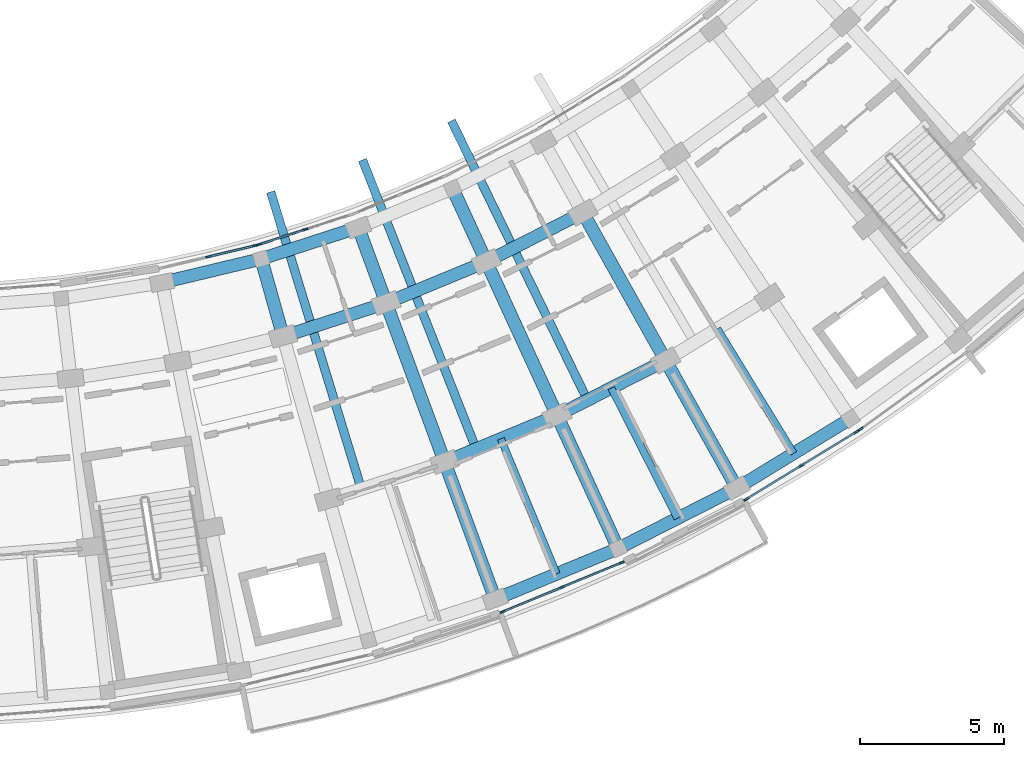
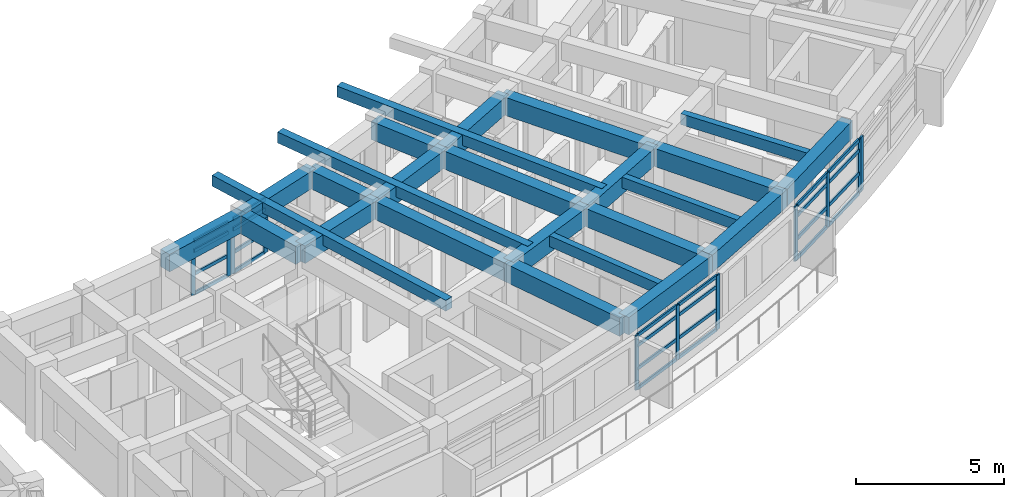
# One storey, part 28 of 70: 35 members, 25 beams, 5 elements without a shape of their own.
"""IFC4 building model written with IfcOpenShell, lengths in metres."""

import ifcopenshell
import ifcopenshell.guid

model = None  # the IFC model being written
_history = None  # IfcOwnerHistory: only IFC2X3 demands one
_inside = {}  # id of a spatial element -> (the spatial element, [elements in it])
_under = {}  # id of a project, library or spatial element -> (it, [spatial elements below it])
_declared = {}  # id of a project -> (the project, [libraries it declares])
_typed = {}  # id of a type object -> (the type object, [elements of that type])
_made_of = {}  # id of a material, layer set ... -> (it, [elements and type objects made of it])


def new_model(schema):
    """Start an empty IFC model of exactly this schema.

    Asked for "IFC4X3", IfcOpenShell would pick the latest addendum, in which some entities
    have other attributes; the version numbers below select the first issue.
    IFC2X3 requires an IfcOwnerHistory on every rooted entity: one is made here for all.
    """
    global model, _history
    if schema == "IFC4X3":
        model = ifcopenshell.file(schema_version=(4, 3, 0, 0))
    else:
        model = ifcopenshell.file(schema=schema)
    _inside.clear()
    _under.clear()
    _declared.clear()
    _typed.clear()
    _made_of.clear()
    _history = None
    if model.schema == "IFC2X3":
        org = make("IfcOrganization", Name="unknown")
        user = make(
            "IfcPersonAndOrganization",
            ThePerson=make("IfcPerson", FamilyName="unknown"),
            TheOrganization=org,
        )
        app = make(
            "IfcApplication",
            ApplicationDeveloper=org,
            Version="unknown",
            ApplicationFullName="unknown",
            ApplicationIdentifier="unknown",
        )
        _history = make(
            "IfcOwnerHistory",
            OwningUser=user,
            OwningApplication=app,
            ChangeAction="ADDED",
            CreationDate=0,
        )
    return model


def make(cls, **values):
    """One entity of the class cls with the attributes given. An attribute that is None is left unset."""
    return model.create_entity(
        cls, **{name: value for name, value in values.items() if value is not None}
    )


def rooted(cls, **values):
    """An entity with a GlobalId (a new one), such as an element, a storey or a relation."""
    return make(cls, GlobalId=ifcopenshell.guid.new(), OwnerHistory=_history, **values)


def si_unit(unit_type, name, prefix=None):
    """IfcSIUnit, for example si_unit("LENGTHUNIT", "METRE", prefix="MILLI")."""
    return make("IfcSIUnit", UnitType=unit_type, Prefix=prefix, Name=name)


def assignment(units):
    """IfcUnitAssignment: the units of a project."""
    return None if units is None else make("IfcUnitAssignment", Units=units)


def point(xyz):
    """IfcCartesianPoint."""
    return None if xyz is None else make("IfcCartesianPoint", Coordinates=xyz)


def direction(xyz):
    """IfcDirection."""
    return None if xyz is None else make("IfcDirection", DirectionRatios=xyz)


def frame(location, z_axis=None, x_axis=None):
    """IfcAxis2Placement3D, a coordinate frame: its origin and axes. An axis left out is left unset."""
    return make(
        "IfcAxis2Placement3D",
        Location=point(location),
        Axis=direction(z_axis),
        RefDirection=direction(x_axis),
    )


def frame_2d(location, x_axis=None):
    """IfcAxis2Placement2D, a coordinate frame in the plane: its origin and x axis."""
    return make(
        "IfcAxis2Placement2D", Location=point(location), RefDirection=direction(x_axis)
    )


def origin():
    """The frame at (0, 0, 0) with its axes left unset."""
    return frame((0.0, 0.0, 0.0))


def origin_2d():
    """The frame at (0, 0) in the plane with its x axis left unset."""
    return frame_2d((0.0, 0.0))


def place(relative_to, where):
    """IfcLocalPlacement: puts the frame where relative to a parent placement (None: the world)."""
    return make(
        "IfcLocalPlacement", PlacementRelTo=relative_to, RelativePlacement=where
    )


def context(
    kind, dimensions, precision=None, world=None, true_north=None, identifier=None
):
    """IfcGeometricRepresentationContext, for example the 3D "Model" context."""
    return make(
        "IfcGeometricRepresentationContext",
        ContextIdentifier=identifier,
        ContextType=kind,
        CoordinateSpaceDimension=dimensions,
        Precision=precision,
        WorldCoordinateSystem=world,
        TrueNorth=true_north,
    )


def subcontext(parent, identifier, kind, view, scale=None):
    """IfcGeometricRepresentationSubContext, for example "Body" below "Model"."""
    return make(
        "IfcGeometricRepresentationSubContext",
        ContextIdentifier=identifier,
        ContextType=kind,
        ParentContext=parent,
        TargetScale=scale,
        TargetView=view,
    )


def project(units=None, contexts=None):
    """IfcProject with its units and contexts."""
    return rooted(
        "IfcProject",
        Name="project",
        RepresentationContexts=contexts,
        UnitsInContext=assignment(units),
    )


def spatial(cls, under=None, at=None, **own):
    """A site, building, storey or space (cls), placed at a placement, below another one or the project."""
    s = rooted(cls, ObjectPlacement=at, **own)
    if under is not None:
        _under.setdefault(under.id(), (under, []))[1].append(s)
    return s


def profile(cls, at=None, kind="AREA", **sizes):
    """A parametric profile (cls). Its sizes go by their IFC names, for example OverallWidth=200.0."""
    return make(cls, ProfileType=kind, Position=at, **sizes)


def rectangle(**sizes):
    """IfcRectangleProfileDef."""
    return profile("IfcRectangleProfileDef", **sizes)


def extrude(swept, where, along, depth):
    """IfcExtrudedAreaSolid: the profile swept, set in the frame where, extruded along a direction by depth."""
    return make(
        "IfcExtrudedAreaSolid",
        SweptArea=swept,
        Position=where,
        ExtrudedDirection=direction(along),
        Depth=depth,
    )


def shape(context_of_items, identifier, shape_type, items):
    """IfcShapeRepresentation: the items that make up one representation, for example the "Body"."""
    return make(
        "IfcShapeRepresentation",
        ContextOfItems=context_of_items,
        RepresentationIdentifier=identifier,
        RepresentationType=shape_type,
        Items=items,
    )


def material(Name=None, Category=None):
    """IfcMaterial."""
    return make("IfcMaterial", Name=Name, Category=Category)


def material_profile(
    of_material, cross_section, Name=None, Category=None, Priority=None
):
    """IfcMaterialProfile: a cross section and its material."""
    return make(
        "IfcMaterialProfile",
        Name=Name,
        Material=of_material,
        Profile=cross_section,
        Priority=Priority,
        Category=Category,
    )


def profile_set(profiles, Name=None, composite=None):
    """IfcMaterialProfileSet."""
    return make(
        "IfcMaterialProfileSet",
        Name=Name,
        MaterialProfiles=profiles,
        CompositeProfile=composite,
    )


def made_of(thing, what):
    """Note that an element or type object is made of a material, layer set ...; save() writes the relation."""
    if what is not None:
        _made_of.setdefault(what.id(), (what, []))[1].append(thing)
    return thing


def type_object(cls, material=None, **own):
    """A type object (cls), such as IfcWallType, which elements share."""
    return made_of(rooted(cls, **own), material)


def element(
    cls,
    number,
    at=None,
    inside=None,
    cuts=None,
    type_object=None,
    material=None,
    context=None,
    identifier="Body",
    shape_type=None,
    held_by="IfcProductDefinitionShape",
    body=None,
    shapes=None,
    **own,
):
    """One element of the class cls, such as IfcWall. Its Tag is "e" and its number.

    at: its placement. inside: the storey or other place that contains it. cuts: it is an
    opening in that element (IfcRelVoidsElement). A single representation is given by context,
    identifier, shape_type and body (its items); several are given by shapes. held_by: the class
    of the entity that holds the representations. save() writes the other relations.
    """
    e = rooted(cls, Tag="e%d" % number, ObjectPlacement=at, **own)
    if body is not None:
        shapes = [shape(context, identifier, shape_type, body)]
    if shapes is not None:
        e.Representation = make(held_by, Representations=shapes)
    if inside is not None:
        _inside.setdefault(inside.id(), (inside, []))[1].append(e)
    if cuts is not None:
        rooted(
            "IfcRelVoidsElement", RelatingBuildingElement=cuts, RelatedOpeningElement=e
        )
    if type_object is not None:
        _typed.setdefault(type_object.id(), (type_object, []))[1].append(e)
    return made_of(e, material)


def aggregate(whole, parts):
    """IfcRelAggregates: a whole, such as a stair, and the parts it consists of."""
    return rooted("IfcRelAggregates", RelatingObject=whole, RelatedObjects=parts)


def save(model, path):
    """Write the relations noted so far, then the file.

    IfcRelAggregates (storeys below a building ...), IfcRelContainedInSpatialStructure (elements
    in a storey), IfcRelDefinesByType, IfcRelAssociatesMaterial and IfcRelDeclares: one each for
    every whole, place, type object, material and project.
    """
    for whole, parts in _under.values():
        aggregate(whole, parts)
    for where, things in _inside.values():
        rooted(
            "IfcRelContainedInSpatialStructure",
            RelatedElements=things,
            RelatingStructure=where,
        )
    for kind, things in _typed.values():
        rooted("IfcRelDefinesByType", RelatedObjects=things, RelatingType=kind)
    for what, things in _made_of.values():
        rooted("IfcRelAssociatesMaterial", RelatedObjects=things, RelatingMaterial=what)
    for by, libraries in _declared.values():
        rooted("IfcRelDeclares", RelatingContext=by, RelatedDefinitions=libraries)
    model.write(path)


model = new_model("IFC4")

# Units and contexts
model_context = context("Model", 3, precision=1e-05, world=origin(), true_north=direction((0.0, 1.0)))
body_context = subcontext(model_context, "Body", "Model", "MODEL_VIEW")
ifc_project = project(units=[si_unit("LENGTHUNIT", "METRE"), si_unit("AREAUNIT", "SQUARE_METRE"), si_unit("VOLUMEUNIT", "CUBIC_METRE"), si_unit("PLANEANGLEUNIT", "RADIAN"), si_unit("MASSUNIT", "GRAM", prefix="KILO")], contexts=[model_context])

# Site, building, storey
site_placement = place(None, origin())
site = spatial("IfcSite", under=ifc_project, at=site_placement, CompositionType="ELEMENT")
building_placement = place(site_placement, origin())
building = spatial("IfcBuilding", under=site, at=building_placement, Name="Zimvara Arc Housing Community", CompositionType="ELEMENT")
storey_placement = place(building_placement, frame((0.0, 0.0, 8.10009765625)))
storey = spatial("IfcBuildingStorey", under=building, at=storey_placement, Name="L02", CompositionType="ELEMENT", Elevation=8.10009765625)

# Beams
ifc_material_1 = material(Name="Concrete C40/50", Category="concrete")
ifc_material_profile_1 = material_profile(ifc_material_1, rectangle(XDim=0.25, YDim=0.449951171875, at=origin_2d()), Name="RC 250x450")
ifc_profile_set_1 = profile_set([ifc_material_profile_1], Name="Concrete C40/50")
beam_type_1 = type_object("IfcBeamType", Name="BM-RC-250x450", PredefinedType="JOIST", material=ifc_profile_set_1)
beam_1_placement = place(storey_placement, frame((146.509033203125, 60.17578125, 2.65478515625), z_axis=(0.381881623909, -0.924211244966, 0.0), x_axis=(0.924211244966, 0.381881623909, 0.0)))
element("IfcBeam", 1, at=beam_1_placement, inside=storey, type_object=beam_type_1, Name="bm:blkD:L02:joist:b4", PredefinedType="JOIST", context=body_context, shape_type="SweptSolid", body=[
    extrude(rectangle(XDim=0.25, YDim=0.449951171875, at=origin_2d()), origin(), (0.0, 0.0, 1.0), 5.076171875),
])
for number, where, z_axis, x_axis, name in (
    (2, (150.343994140625, 61.939453125, 2.65478515625), (0.453225300679, -0.891395998883, 0.0), (0.891395998883, 0.453225300679, 0.0), "bm:blkD:L02:joist:b5"),
    (3, (154.02880859375, 63.998779296875, 2.65478515625), (0.521755418526, -0.85309511969, 0.0), (0.85309511969, 0.521755418526, 0.0), "bm:blkD:L02:joist:b6"),
):
    element("IfcBeam", number, at=place(storey_placement, frame(where, z_axis=z_axis, x_axis=x_axis)), inside=storey, type_object=beam_type_1, Name=name, PredefinedType="JOIST", context=body_context, shape_type="SweptSolid", body=[
        extrude(rectangle(XDim=0.25, YDim=0.449951171875, at=origin_2d()), origin(), (0.0, 0.0, 1.0), 5.075927734375),
    ])
ifc_material_2 = material(Name="Concrete C40/50", Category="concrete")
ifc_material_profile_2 = material_profile(ifc_material_2, rectangle(XDim=0.300048828125, YDim=0.449951171875, at=origin_2d()), Name="RC 300x450")
ifc_profile_set_2 = profile_set([ifc_material_profile_2], Name="Concrete C40/50")
beam_type_2 = type_object("IfcBeamType", Name="BM-RC-300x450", PredefinedType="JOIST", material=ifc_profile_set_2)
beam_2_placement = place(storey_placement, frame((141.673583984375, 58.39990234375, 2.664794921875), z_axis=(-0.2917065774, 0.956507852922, 0.0), x_axis=(-0.956507852922, -0.2917065774, 0.0)))
element("IfcBeam", 4, at=beam_2_placement, inside=storey, type_object=beam_type_2, Name="bm:blkD:L02:cant_in:b3", PredefinedType="JOIST", context=body_context, shape_type="SweptSolid", body=[
    extrude(rectangle(XDim=0.300048828125, YDim=0.449951171875, at=origin_2d()), origin(), (0.0, 0.0, 1.0), 10.820068359375),
])
beam_3_placement = place(storey_placement, frame((145.662841796875, 59.789794921875, 2.664794921875), z_axis=(-0.365852023877, 0.93067303422, 0.0), x_axis=(-0.93067303422, -0.365852023877, 0.0)))
element("IfcBeam", 5, at=beam_3_placement, inside=storey, type_object=beam_type_2, Name="bm:blkD:L02:cant_in:b4", PredefinedType="JOIST", context=body_context, shape_type="SweptSolid", body=[
    extrude(rectangle(XDim=0.300048828125, YDim=0.449951171875, at=origin_2d()), origin(), (0.0, 0.0, 1.0), 10.81982421875),
])
beam_4_placement = place(storey_placement, frame((149.530517578125, 61.488525390625, 2.664794921875), z_axis=(-0.437738890633, 0.899102143044, 0.0), x_axis=(-0.899102143044, -0.437738890633, 0.0)))
element("IfcBeam", 6, at=beam_4_placement, inside=storey, type_object=beam_type_2, Name="bm:blkD:L02:cant_in:b5", PredefinedType="JOIST", context=body_context, shape_type="SweptSolid", body=[
    extrude(rectangle(XDim=0.300048828125, YDim=0.449951171875, at=origin_2d()), origin(), (0.0, 0.0, 1.0), 10.820068359375),
])
ifc_material_3 = material(Name="Concrete C40/50", Category="concrete")
ifc_material_profile_3 = material_profile(ifc_material_3, rectangle(XDim=0.43994140625, YDim=0.719970703125, at=origin_2d()), Name="RC 440x720")
ifc_profile_set_3 = profile_set([ifc_material_profile_3], Name="Concrete C40/50")
beam_type_3 = type_object("IfcBeamType", Name="BM-RC-440x720", PredefinedType="BEAM", material=ifc_profile_set_3)
for number, where, z_axis, x_axis, name in (
    (7, (134.743896484375, 65.599365234375, 2.52001953125), (0.972576519525, 0.232583132813, 0.0), (-0.232583132813, 0.972576519525, 0.0), "bm:blkD:L02:chord:r0:b2"),
    (8, (138.189453125, 66.42333984375, 2.52001953125), (0.951329887165, 0.308174375618, 0.0), (-0.308174375618, 0.951329887165, 0.0), "bm:blkD:L02:chord:r0:b3"),
):
    element("IfcBeam", number, at=place(storey_placement, frame(where, z_axis=z_axis, x_axis=x_axis)), inside=storey, type_object=beam_type_3, Name=name, PredefinedType="BEAM", context=body_context, shape_type="SweptSolid", body=[
        extrude(rectangle(XDim=0.43994140625, YDim=0.719970703125, at=origin_2d()), origin(), (0.0, 0.0, 1.0), 3.542724609375),
    ])
beam_5_placement = place(storey_placement, frame((138.947265625, 63.727783203125, 2.52001953125), z_axis=(0.951316439628, 0.308215884881, 0.0), x_axis=(-0.308215884881, 0.951316439628, 0.0)))
element("IfcBeam", 9, at=beam_5_placement, inside=storey, type_object=beam_type_3, Name="bm:blkD:L02:chord:r1:b3", PredefinedType="BEAM", context=body_context, shape_type="SweptSolid", body=[
    extrude(rectangle(XDim=0.43994140625, YDim=0.719970703125, at=origin_2d()), origin(), (0.0, 0.0, 1.0), 3.762451171875),
])
for number, where, z_axis, x_axis, name in (
    (10, (142.526611328125, 64.887451171875, 2.52001953125), (0.924224591922, 0.381849320658, 0.0), (-0.381849320658, 0.924224591922, 0.0), "bm:blkD:L02:chord:r1:b4"),
    (11, (146.004150390625, 66.32421875, 2.52001953125), (0.891396237924, 0.453224830536, 0.0), (-0.453224830536, 0.891396237924, 0.0), "bm:blkD:L02:chord:r1:b5"),
):
    element("IfcBeam", number, at=place(storey_placement, frame(where, z_axis=z_axis, x_axis=x_axis)), inside=storey, type_object=beam_type_3, Name=name, PredefinedType="BEAM", context=body_context, shape_type="SweptSolid", body=[
        extrude(rectangle(XDim=0.43994140625, YDim=0.719970703125, at=origin_2d()), origin(), (0.0, 0.0, 1.0), 3.7626953125),
    ])
beam_6_placement = place(storey_placement, frame((144.55712890625, 59.369140625, 2.52001953125), z_axis=(0.924220191381, 0.381859971512, 0.0), x_axis=(-0.381859971512, 0.924220191381, 0.0)))
element("IfcBeam", 12, at=beam_6_placement, inside=storey, type_object=beam_type_3, Name="bm:blkD:L02:chord:r2:b4", PredefinedType="BEAM", context=body_context, shape_type="SweptSolid", body=[
    extrude(rectangle(XDim=0.43994140625, YDim=0.719970703125, at=origin_2d()), origin(), (0.0, 0.0, 1.0), 4.22412109375),
])
beam_7_placement = place(storey_placement, frame((148.461181640625, 60.982177734375, 2.52001953125), z_axis=(0.891401751243, 0.453213986855, 0.0), x_axis=(-0.453213986855, 0.891401751243, 0.0)))
element("IfcBeam", 13, at=beam_7_placement, inside=storey, type_object=beam_type_3, Name="bm:blkD:L02:chord:r2:b5", PredefinedType="BEAM", context=body_context, shape_type="SweptSolid", body=[
    extrude(rectangle(XDim=0.43994140625, YDim=0.719970703125, at=origin_2d()), origin(), (0.0, 0.0, 1.0), 4.224365234375),
])
beam_8_placement = place(storey_placement, frame((146.311279296875, 54.6015625, 2.52001953125), z_axis=(0.924218077134, 0.38186508861, 0.0), x_axis=(-0.38186508861, 0.924218077134, 0.0)))
element("IfcBeam", 14, at=beam_8_placement, inside=storey, type_object=beam_type_3, Name="bm:blkD:L02:chord:r3:b4", PredefinedType="BEAM", context=body_context, shape_type="SweptSolid", body=[
    extrude(rectangle(XDim=0.43994140625, YDim=0.719970703125, at=origin_2d()), origin(), (0.0, 0.0, 1.0), 4.623046875),
])
for number, where, z_axis, x_axis, name in (
    (15, (150.583984375, 56.366943359375, 2.52001953125), (0.891386215037, 0.453244542871, 0.0), (-0.453244542871, 0.891386215037, 0.0), "bm:blkD:L02:chord:r3:b5"),
    (16, (154.705078125, 58.46240234375, 2.52001953125), (0.853105562062, 0.521738344363, 0.0), (-0.521738344363, 0.853105562062, 0.0), "bm:blkD:L02:chord:r3:b6"),
):
    element("IfcBeam", number, at=place(storey_placement, frame(where, z_axis=z_axis, x_axis=x_axis)), inside=storey, type_object=beam_type_3, Name=name, PredefinedType="BEAM", context=body_context, shape_type="SweptSolid", body=[
        extrude(rectangle(XDim=0.43994140625, YDim=0.719970703125, at=origin_2d()), origin(), (0.0, 0.0, 1.0), 4.623291015625),
    ])
ifc_material_4 = material(Name="Concrete C40/50", Category="concrete")
ifc_material_profile_4 = material_profile(ifc_material_4, rectangle(XDim=0.449951171875, YDim=0.75, at=origin_2d()), Name="RC 450x750")
ifc_profile_set_4 = profile_set([ifc_material_profile_4], Name="Concrete C40/50")
beam_type_4 = type_object("IfcBeamType", Name="BM-RC-450x750", PredefinedType="BEAM", material=ifc_profile_set_4)
beam_9_placement = place(storey_placement, frame((138.189453125, 66.42333984375, 2.5048828125), z_axis=(0.270642050381, -0.962680050986, 0.0), x_axis=(0.962680050986, 0.270642050381, 0.0)))
element("IfcBeam", 17, at=beam_9_placement, inside=storey, type_object=beam_type_4, Name="bm:blkD:L02:rad:b3:r01", PredefinedType="BEAM", context=body_context, shape_type="SweptSolid", body=[
    extrude(rectangle(XDim=0.449951171875, YDim=0.75, at=origin_2d()), origin(), (0.0, 0.0, 1.0), 2.800048828125),
])
beam_10_placement = place(storey_placement, frame((141.559814453125, 67.51513671875, 2.5048828125), z_axis=(0.345297205079, -0.93849338845, 0.0), x_axis=(0.93849338845, 0.345297205079, 0.0)))
element("IfcBeam", 18, at=beam_10_placement, inside=storey, type_object=beam_type_4, Name="bm:blkD:L02:rad:b4:r01", PredefinedType="BEAM", context=body_context, shape_type="SweptSolid", body=[
    extrude(rectangle(XDim=0.449951171875, YDim=0.75, at=origin_2d()), origin(), (0.0, 0.0, 1.0), 2.7998046875),
])
beam_11_placement = place(storey_placement, frame((142.526611328125, 64.887451171875, 2.5048828125), z_axis=(0.345324356241, -0.938483398354, 0.0), x_axis=(0.938483398354, 0.345324356241, 0.0)))
element("IfcBeam", 19, at=beam_11_placement, inside=storey, type_object=beam_type_4, Name="bm:blkD:L02:rad:b4:r12", PredefinedType="BEAM", context=body_context, shape_type="SweptSolid", body=[
    extrude(rectangle(XDim=0.449951171875, YDim=0.75, at=origin_2d()), origin(), (0.0, 0.0, 1.0), 5.880126953125),
])
beam_12_placement = place(storey_placement, frame((144.55712890625, 59.369140625, 2.5048828125), z_axis=(0.345302219392, -0.938491543533, 0.0), x_axis=(0.938491543533, 0.345302219392, 0.0)))
element("IfcBeam", 20, at=beam_12_placement, inside=storey, type_object=beam_type_4, Name="bm:blkD:L02:rad:b4:r23", PredefinedType="BEAM", context=body_context, shape_type="SweptSolid", body=[
    extrude(rectangle(XDim=0.449951171875, YDim=0.75, at=origin_2d()), origin(), (0.0, 0.0, 1.0), 5.080078125),
])
beam_13_placement = place(storey_placement, frame((144.834228515625, 68.8681640625, 2.5048828125), z_axis=(0.417819250126, -0.908530172435, 0.0), x_axis=(0.908530172435, 0.417819250126, 0.0)))
element("IfcBeam", 21, at=beam_13_placement, inside=storey, type_object=beam_type_4, Name="bm:blkD:L02:rad:b5:r01", PredefinedType="BEAM", context=body_context, shape_type="SweptSolid", body=[
    extrude(rectangle(XDim=0.449951171875, YDim=0.75, at=origin_2d()), origin(), (0.0, 0.0, 1.0), 2.800048828125),
])
beam_14_placement = place(storey_placement, frame((146.004150390625, 66.32421875, 2.5048828125), z_axis=(0.417862428621, -0.908510314056, 0.0), x_axis=(0.908510314056, 0.417862428621, 0.0)))
element("IfcBeam", 22, at=beam_14_placement, inside=storey, type_object=beam_type_4, Name="bm:blkD:L02:rad:b5:r12", PredefinedType="BEAM", context=body_context, shape_type="SweptSolid", body=[
    extrude(rectangle(XDim=0.449951171875, YDim=0.75, at=origin_2d()), origin(), (0.0, 0.0, 1.0), 5.8798828125),
])
beam_15_placement = place(storey_placement, frame((148.461181640625, 60.982177734375, 2.5048828125), z_axis=(0.417872288794, -0.90850577888, 0.0), x_axis=(0.90850577888, 0.417872288794, 0.0)))
element("IfcBeam", 23, at=beam_15_placement, inside=storey, type_object=beam_type_4, Name="bm:blkD:L02:rad:b5:r23", PredefinedType="BEAM", context=body_context, shape_type="SweptSolid", body=[
    extrude(rectangle(XDim=0.449951171875, YDim=0.75, at=origin_2d()), origin(), (0.0, 0.0, 1.0), 5.080078125),
])
beam_16_placement = place(storey_placement, frame((149.358154296875, 68.029541015625, 2.5048828125), z_axis=(0.487862302556, -0.872920599909, 0.0), x_axis=(0.872920599909, 0.487862302556, 0.0)))
element("IfcBeam", 24, at=beam_16_placement, inside=storey, type_object=beam_type_4, Name="bm:blkD:L02:rad:b6:r12", PredefinedType="BEAM", context=body_context, shape_type="SweptSolid", body=[
    extrude(rectangle(XDim=0.449951171875, YDim=0.75, at=origin_2d()), origin(), (0.0, 0.0, 1.0), 5.880126953125),
])
beam_17_placement = place(storey_placement, frame((152.226806640625, 62.896728515625, 2.5048828125), z_axis=(0.48786121213, -0.872921209331, 0.0), x_axis=(0.872921209331, 0.48786121213, 0.0)))
element("IfcBeam", 25, at=beam_17_placement, inside=storey, type_object=beam_type_4, Name="bm:blkD:L02:rad:b6:r23", PredefinedType="BEAM", context=body_context, shape_type="SweptSolid", body=[
    extrude(rectangle(XDim=0.449951171875, YDim=0.75, at=origin_2d()), origin(), (0.0, 0.0, 1.0), 5.079833984375),
])

# Curtain wall, members
ifc_material_5 = material(Name="Anodised Aluminium AW-6063", Category="aluminium")
curtain_wall_type_1 = type_object("IfcCurtainWallType", Name="CW-SYS-08", PredefinedType="USERDEFINED", material=ifc_material_5)
curtain_wall_1_placement = place(storey_placement, origin())
curtain_wall_1 = element("IfcCurtainWall", 26, at=curtain_wall_1_placement, inside=storey, type_object=curtain_wall_type_1, Name="cw:blkD:L02:in:b2", ObjectType="CURTAIN WALL", PredefinedType="USERDEFINED")
ifc_material_6 = material(Name="Anodised Aluminium AW-6063", Category="aluminium")
ifc_material_profile_5 = material_profile(ifc_material_6, rectangle(XDim=0.06494140625, YDim=0.179931640625, at=origin_2d()), Name="ALU 65x180")
ifc_profile_set_5 = profile_set([ifc_material_profile_5], Name="Anodised Aluminium AW-6063")
member_type_1 = type_object("IfcMemberType", Name="CWM-65x150", PredefinedType="MULLION", material=ifc_profile_set_5)
member_1_placement = place(storey_placement, frame((136.3505859375, 66.497314453125, 0.0), z_axis=(0.0, 0.0, 1.0), x_axis=(-0.232596003485, 0.972573441526, 0.0)))
member_1 = element("IfcMember", 27, at=member_1_placement, type_object=member_type_1, Name="CW08 mullion 2", PredefinedType="MULLION", context=body_context, shape_type="SweptSolid", body=[
    extrude(rectangle(XDim=0.06494140625, YDim=0.179931640625, at=origin_2d()), origin(), (0.0, 0.0, 1.0), 2.25),
])
member_2_placement = place(storey_placement, frame((137.964111328125, 66.88330078125, 0.0), z_axis=(0.0, 0.0, 1.0), x_axis=(-0.232596003485, 0.972573441526, 0.0)))
member_2 = element("IfcMember", 28, at=member_2_placement, type_object=member_type_1, Name="CW08 mullion 3", PredefinedType="MULLION", context=body_context, shape_type="SweptSolid", body=[
    extrude(rectangle(XDim=0.06494140625, YDim=0.179931640625, at=origin_2d()), origin(), (0.0, 0.0, 1.0), 2.25),
])

ifc_material_7 = material(Name="Anodised Aluminium AW-6063", Category="aluminium")
curtain_wall_type_2 = type_object("IfcCurtainWallType", Name="CW-SYS-02", PredefinedType="USERDEFINED", material=ifc_material_7)
curtain_wall_2_placement = place(storey_placement, origin())
curtain_wall_2 = element("IfcCurtainWall", 29, at=curtain_wall_2_placement, inside=storey, type_object=curtain_wall_type_2, Name="cw:blkD:L02:out:b4", ObjectType="CURTAIN WALL", PredefinedType="USERDEFINED")
member_3_placement = place(storey_placement, frame((146.5693359375, 54.167724609375, 0.0), z_axis=(0.0, 0.0, 1.0), x_axis=(-0.38187646221, 0.924213377749, 0.0)))
member_3 = element("IfcMember", 30, at=member_3_placement, type_object=member_type_1, Name="CW02 mullion 1", PredefinedType="MULLION", context=body_context, shape_type="SweptSolid", body=[
    extrude(rectangle(XDim=0.06494140625, YDim=0.179931640625, at=origin_2d()), origin(), (0.0, 0.0, 1.0), 2.25),
])
member_4_placement = place(storey_placement, frame((148.638427734375, 55.0224609375, 0.0), z_axis=(0.0, 0.0, 1.0), x_axis=(-0.38187646221, 0.924213377749, 0.0)))
member_4 = element("IfcMember", 31, at=member_4_placement, type_object=member_type_1, Name="CW02 mullion 2", PredefinedType="MULLION", context=body_context, shape_type="SweptSolid", body=[
    extrude(rectangle(XDim=0.06494140625, YDim=0.179931640625, at=origin_2d()), origin(), (0.0, 0.0, 1.0), 2.25),
])
member_5_placement = place(storey_placement, frame((150.70751953125, 55.87744140625, 0.0), z_axis=(0.0, 0.0, 1.0), x_axis=(-0.38187646221, 0.924213377749, 0.0)))
member_5 = element("IfcMember", 32, at=member_5_placement, type_object=member_type_1, Name="CW02 mullion 3", PredefinedType="MULLION", context=body_context, shape_type="SweptSolid", body=[
    extrude(rectangle(XDim=0.06494140625, YDim=0.179931640625, at=origin_2d()), origin(), (0.0, 0.0, 1.0), 2.25),
])

ifc_material_8 = material(Name="Anodised Aluminium AW-6063", Category="aluminium")
curtain_wall_type_3 = type_object("IfcCurtainWallType", Name="CW-SYS-01", PredefinedType="USERDEFINED", material=ifc_material_8)
curtain_wall_3_placement = place(storey_placement, origin())
curtain_wall_3 = element("IfcCurtainWall", 33, at=curtain_wall_3_placement, inside=storey, type_object=curtain_wall_type_3, Name="cw:blkD:L02:in:b3", ObjectType="CURTAIN WALL", PredefinedType="USERDEFINED")
ifc_material_9 = material(Name="Anodised Aluminium AW-6063", Category="aluminium")
ifc_material_profile_6 = material_profile(ifc_material_9, rectangle(XDim=0.06494140625, YDim=0.195068359375, at=origin_2d()), Name="ALU 65x195")
ifc_profile_set_6 = profile_set([ifc_material_profile_6], Name="Anodised Aluminium AW-6063")
member_type_2 = type_object("IfcMemberType", Name="CWM-65x180", PredefinedType="MULLION", material=ifc_profile_set_6)
member_6_placement = place(storey_placement, frame((138.14208984375, 66.93310546875, 0.0), z_axis=(0.0, 0.0, 1.0), x_axis=(-0.308185223559, 0.951326373008, 0.0)))
member_6 = element("IfcMember", 34, at=member_6_placement, type_object=member_type_2, Name="CW01 mullion 1", PredefinedType="MULLION", context=body_context, shape_type="SweptSolid", body=[
    extrude(rectangle(XDim=0.06494140625, YDim=0.195068359375, at=origin_2d()), origin(), (0.0, 0.0, 1.0), 2.25),
])
member_7_placement = place(storey_placement, frame((139.720703125, 67.444580078125, 0.0), z_axis=(0.0, 0.0, 1.0), x_axis=(-0.308185223559, 0.951326373008, 0.0)))
member_7 = element("IfcMember", 35, at=member_7_placement, type_object=member_type_2, Name="CW01 mullion 2", PredefinedType="MULLION", context=body_context, shape_type="SweptSolid", body=[
    extrude(rectangle(XDim=0.06494140625, YDim=0.195068359375, at=origin_2d()), origin(), (0.0, 0.0, 1.0), 2.25),
])

ifc_material_10 = material(Name="Anodised Aluminium AW-6063", Category="aluminium")
curtain_wall_type_4 = type_object("IfcCurtainWallType", Name="CW-SYS-05", PredefinedType="USERDEFINED", material=ifc_material_10)
curtain_wall_4_placement = place(storey_placement, origin())
curtain_wall_4 = element("IfcCurtainWall", 36, at=curtain_wall_4_placement, inside=storey, type_object=curtain_wall_type_4, Name="cw:blkD:L02:out:b6", ObjectType="CURTAIN WALL", PredefinedType="USERDEFINED")
member_8_placement = place(storey_placement, frame((155.028076171875, 58.07421875, 0.0), z_axis=(0.0, 0.0, 1.0), x_axis=(-0.521754248513, 0.853095835272, 0.0)))
member_8 = element("IfcMember", 37, at=member_8_placement, type_object=member_type_2, Name="CW05 mullion 1", PredefinedType="MULLION", context=body_context, shape_type="SweptSolid", body=[
    extrude(rectangle(XDim=0.06494140625, YDim=0.195068359375, at=origin_2d()), origin(), (0.0, 0.0, 1.0), 2.25),
])
member_9_placement = place(storey_placement, frame((156.93798828125, 59.2421875, 0.0), z_axis=(0.0, 0.0, 1.0), x_axis=(-0.521754248513, 0.853095835272, 0.0)))
member_9 = element("IfcMember", 38, at=member_9_placement, type_object=member_type_2, Name="CW05 mullion 2", PredefinedType="MULLION", context=body_context, shape_type="SweptSolid", body=[
    extrude(rectangle(XDim=0.06494140625, YDim=0.195068359375, at=origin_2d()), origin(), (0.0, 0.0, 1.0), 2.25),
])
member_10_placement = place(storey_placement, frame((158.84765625, 60.410400390625, 0.0), z_axis=(0.0, 0.0, 1.0), x_axis=(-0.521754248513, 0.853095835272, 0.0)))
member_10 = element("IfcMember", 39, at=member_10_placement, type_object=member_type_2, Name="CW05 mullion 3", PredefinedType="MULLION", context=body_context, shape_type="SweptSolid", body=[
    extrude(rectangle(XDim=0.06494140625, YDim=0.195068359375, at=origin_2d()), origin(), (0.0, 0.0, 1.0), 2.25),
])

# Curtain wall, member
ifc_material_11 = material(Name="Anodised Aluminium AW-6063", Category="aluminium")
curtain_wall_type_5 = type_object("IfcCurtainWallType", Name="CW-SYS-07", PredefinedType="USERDEFINED", material=ifc_material_11)
curtain_wall_5_placement = place(storey_placement, origin())
curtain_wall_5 = element("IfcCurtainWall", 40, at=curtain_wall_5_placement, inside=storey, type_object=curtain_wall_type_5, Name="cw:blkD:L02:out:b7", ObjectType="CURTAIN WALL", PredefinedType="USERDEFINED")
member_11_placement = place(storey_placement, frame((159.00146484375, 60.512939453125, 0.0), z_axis=(0.0, 0.0, 1.0), x_axis=(-0.587077917196, 0.809530431263, 0.0)))
member_11 = element("IfcMember", 41, at=member_11_placement, type_object=member_type_2, Name="CW07 mullion 1", PredefinedType="MULLION", context=body_context, shape_type="SweptSolid", body=[
    extrude(rectangle(XDim=0.06494140625, YDim=0.195068359375, at=origin_2d()), origin(), (0.0, 0.0, 1.0), 2.25),
])
aggregate(curtain_wall_5, [member_11])

# Member
ifc_material_12 = material(Name="Anodised Aluminium AW-6063", Category="aluminium")
ifc_material_profile_7 = material_profile(ifc_material_12, rectangle(XDim=0.06494140625, YDim=0.139892578125, at=origin_2d()), Name="ALU 65x140")
ifc_profile_set_7 = profile_set([ifc_material_profile_7], Name="Anodised Aluminium AW-6063")
member_type_3 = type_object("IfcMemberType", Name="CWT-65x120", PredefinedType="USERDEFINED", material=ifc_profile_set_7)
member_12_placement = place(storey_placement, frame((136.382080078125, 66.5048828125, 0.032470703125), z_axis=(0.972569101566, 0.232614149784, 0.0), x_axis=(-0.232614149784, 0.972569101566, 0.0)))
member_12 = element("IfcMember", 42, at=member_12_placement, type_object=member_type_3, Name="CW08 transom 2.1", ObjectType="TRANSOM", PredefinedType="USERDEFINED", context=body_context, shape_type="SweptSolid", body=[
    extrude(rectangle(XDim=0.06494140625, YDim=0.139892578125, at=origin_2d()), origin(), (0.0, 0.0, 1.0), 1.59423828125),
])

member_13_placement = place(storey_placement, frame((136.382080078125, 66.5048828125, 0.849853515625), z_axis=(0.972569101566, 0.232614149784, 0.0), x_axis=(-0.232614149784, 0.972569101566, 0.0)))
member_13 = element("IfcMember", 43, at=member_13_placement, type_object=member_type_3, Name="CW08 transom 2.2", ObjectType="TRANSOM", PredefinedType="USERDEFINED", context=body_context, shape_type="SweptSolid", body=[
    extrude(rectangle(XDim=0.06494140625, YDim=0.139892578125, at=origin_2d()), origin(), (0.0, 0.0, 1.0), 1.59423828125),
])

member_14_placement = place(storey_placement, frame((136.382080078125, 66.5048828125, 1.7998046875), z_axis=(0.972569101566, 0.232614149784, 0.0), x_axis=(-0.232614149784, 0.972569101566, 0.0)))
member_14 = element("IfcMember", 44, at=member_14_placement, type_object=member_type_3, Name="CW08 transom 2.3", ObjectType="TRANSOM", PredefinedType="USERDEFINED", context=body_context, shape_type="SweptSolid", body=[
    extrude(rectangle(XDim=0.06494140625, YDim=0.139892578125, at=origin_2d()), origin(), (0.0, 0.0, 1.0), 1.59423828125),
])

member_15_placement = place(storey_placement, frame((136.382080078125, 66.5048828125, 2.21728515625), z_axis=(0.972569101566, 0.232614149784, 0.0), x_axis=(-0.232614149784, 0.972569101566, 0.0)))
member_15 = element("IfcMember", 45, at=member_15_placement, type_object=member_type_3, Name="CW08 transom 2.4", ObjectType="TRANSOM", PredefinedType="USERDEFINED", context=body_context, shape_type="SweptSolid", body=[
    extrude(rectangle(XDim=0.06494140625, YDim=0.139892578125, at=origin_2d()), origin(), (0.0, 0.0, 1.0), 1.59423828125),
])

aggregate(curtain_wall_1, [member_1, member_2, member_12, member_13, member_14, member_15])

member_16_placement = place(storey_placement, frame((146.599365234375, 54.179931640625, 0.032470703125), z_axis=(0.924219207316, 0.381862353248, 0.0), x_axis=(-0.381862353248, 0.924219207316, 0.0)))
member_16 = element("IfcMember", 46, at=member_16_placement, type_object=member_type_3, Name="CW02 transom 1.1", ObjectType="TRANSOM", PredefinedType="USERDEFINED", context=body_context, shape_type="SweptSolid", body=[
    extrude(rectangle(XDim=0.06494140625, YDim=0.139892578125, at=origin_2d()), origin(), (0.0, 0.0, 1.0), 2.173828125),
])

member_17_placement = place(storey_placement, frame((146.599365234375, 54.179931640625, 0.849853515625), z_axis=(0.924219207316, 0.381862353248, 0.0), x_axis=(-0.381862353248, 0.924219207316, 0.0)))
member_17 = element("IfcMember", 47, at=member_17_placement, type_object=member_type_3, Name="CW02 transom 1.2", ObjectType="TRANSOM", PredefinedType="USERDEFINED", context=body_context, shape_type="SweptSolid", body=[
    extrude(rectangle(XDim=0.06494140625, YDim=0.139892578125, at=origin_2d()), origin(), (0.0, 0.0, 1.0), 2.173828125),
])

member_18_placement = place(storey_placement, frame((146.599365234375, 54.179931640625, 1.7998046875), z_axis=(0.924219207316, 0.381862353248, 0.0), x_axis=(-0.381862353248, 0.924219207316, 0.0)))
member_18 = element("IfcMember", 48, at=member_18_placement, type_object=member_type_3, Name="CW02 transom 1.3", ObjectType="TRANSOM", PredefinedType="USERDEFINED", context=body_context, shape_type="SweptSolid", body=[
    extrude(rectangle(XDim=0.06494140625, YDim=0.139892578125, at=origin_2d()), origin(), (0.0, 0.0, 1.0), 2.173828125),
])

member_19_placement = place(storey_placement, frame((146.599365234375, 54.179931640625, 2.21728515625), z_axis=(0.924219207316, 0.381862353248, 0.0), x_axis=(-0.381862353248, 0.924219207316, 0.0)))
member_19 = element("IfcMember", 49, at=member_19_placement, type_object=member_type_3, Name="CW02 transom 1.4", ObjectType="TRANSOM", PredefinedType="USERDEFINED", context=body_context, shape_type="SweptSolid", body=[
    extrude(rectangle(XDim=0.06494140625, YDim=0.139892578125, at=origin_2d()), origin(), (0.0, 0.0, 1.0), 2.173828125),
])

member_20_placement = place(storey_placement, frame((148.66845703125, 55.034912109375, 0.032470703125), z_axis=(0.924219207316, 0.381862353248, 0.0), x_axis=(-0.381862353248, 0.924219207316, 0.0)))
member_20 = element("IfcMember", 50, at=member_20_placement, type_object=member_type_3, Name="CW02 transom 2.1", ObjectType="TRANSOM", PredefinedType="USERDEFINED", context=body_context, shape_type="SweptSolid", body=[
    extrude(rectangle(XDim=0.06494140625, YDim=0.139892578125, at=origin_2d()), origin(), (0.0, 0.0, 1.0), 2.173828125),
])

member_21_placement = place(storey_placement, frame((148.66845703125, 55.034912109375, 0.849853515625), z_axis=(0.924219207316, 0.381862353248, 0.0), x_axis=(-0.381862353248, 0.924219207316, 0.0)))
member_21 = element("IfcMember", 51, at=member_21_placement, type_object=member_type_3, Name="CW02 transom 2.2", ObjectType="TRANSOM", PredefinedType="USERDEFINED", context=body_context, shape_type="SweptSolid", body=[
    extrude(rectangle(XDim=0.06494140625, YDim=0.139892578125, at=origin_2d()), origin(), (0.0, 0.0, 1.0), 2.173828125),
])

member_22_placement = place(storey_placement, frame((148.66845703125, 55.034912109375, 1.7998046875), z_axis=(0.924219207316, 0.381862353248, 0.0), x_axis=(-0.381862353248, 0.924219207316, 0.0)))
member_22 = element("IfcMember", 52, at=member_22_placement, type_object=member_type_3, Name="CW02 transom 2.3", ObjectType="TRANSOM", PredefinedType="USERDEFINED", context=body_context, shape_type="SweptSolid", body=[
    extrude(rectangle(XDim=0.06494140625, YDim=0.139892578125, at=origin_2d()), origin(), (0.0, 0.0, 1.0), 2.173828125),
])

member_23_placement = place(storey_placement, frame((148.66845703125, 55.034912109375, 2.21728515625), z_axis=(0.924219207316, 0.381862353248, 0.0), x_axis=(-0.381862353248, 0.924219207316, 0.0)))
member_23 = element("IfcMember", 53, at=member_23_placement, type_object=member_type_3, Name="CW02 transom 2.4", ObjectType="TRANSOM", PredefinedType="USERDEFINED", context=body_context, shape_type="SweptSolid", body=[
    extrude(rectangle(XDim=0.06494140625, YDim=0.139892578125, at=origin_2d()), origin(), (0.0, 0.0, 1.0), 2.173828125),
])

aggregate(curtain_wall_2, [member_3, member_4, member_5, member_16, member_17, member_18, member_19, member_20, member_21, member_22, member_23])

ifc_material_13 = material(Name="Anodised Aluminium AW-6063", Category="aluminium")
ifc_material_profile_8 = material_profile(ifc_material_13, rectangle(XDim=0.06494140625, YDim=0.155029296875, at=origin_2d()), Name="ALU 65x155")
ifc_profile_set_8 = profile_set([ifc_material_profile_8], Name="Anodised Aluminium AW-6063")
member_type_4 = type_object("IfcMemberType", Name="CWT-65x140", PredefinedType="USERDEFINED", material=ifc_profile_set_8)
member_24_placement = place(storey_placement, frame((138.173095703125, 66.943115234375, 0.032470703125), z_axis=(0.951299308569, 0.308268755336, 0.0), x_axis=(-0.308268755336, 0.951299308569, 0.0)))
member_24 = element("IfcMember", 54, at=member_24_placement, type_object=member_type_4, Name="CW01 transom 1.1", ObjectType="TRANSOM", PredefinedType="USERDEFINED", context=body_context, shape_type="SweptSolid", body=[
    extrude(rectangle(XDim=0.06494140625, YDim=0.155029296875, at=origin_2d()), origin(), (0.0, 0.0, 1.0), 1.59423828125),
])

member_25_placement = place(storey_placement, frame((138.173095703125, 66.943115234375, 0.849853515625), z_axis=(0.951299308569, 0.308268755336, 0.0), x_axis=(-0.308268755336, 0.951299308569, 0.0)))
member_25 = element("IfcMember", 55, at=member_25_placement, type_object=member_type_4, Name="CW01 transom 1.2", ObjectType="TRANSOM", PredefinedType="USERDEFINED", context=body_context, shape_type="SweptSolid", body=[
    extrude(rectangle(XDim=0.06494140625, YDim=0.155029296875, at=origin_2d()), origin(), (0.0, 0.0, 1.0), 1.59423828125),
])

member_26_placement = place(storey_placement, frame((138.173095703125, 66.943115234375, 1.7998046875), z_axis=(0.951299308569, 0.308268755336, 0.0), x_axis=(-0.308268755336, 0.951299308569, 0.0)))
member_26 = element("IfcMember", 56, at=member_26_placement, type_object=member_type_4, Name="CW01 transom 1.3", ObjectType="TRANSOM", PredefinedType="USERDEFINED", context=body_context, shape_type="SweptSolid", body=[
    extrude(rectangle(XDim=0.06494140625, YDim=0.155029296875, at=origin_2d()), origin(), (0.0, 0.0, 1.0), 1.59423828125),
])

member_27_placement = place(storey_placement, frame((138.173095703125, 66.943115234375, 2.21728515625), z_axis=(0.951299308569, 0.308268755336, 0.0), x_axis=(-0.308268755336, 0.951299308569, 0.0)))
member_27 = element("IfcMember", 57, at=member_27_placement, type_object=member_type_4, Name="CW01 transom 1.4", ObjectType="TRANSOM", PredefinedType="USERDEFINED", context=body_context, shape_type="SweptSolid", body=[
    extrude(rectangle(XDim=0.06494140625, YDim=0.155029296875, at=origin_2d()), origin(), (0.0, 0.0, 1.0), 1.59423828125),
])

aggregate(curtain_wall_3, [member_6, member_7, member_24, member_25, member_26, member_27])

member_28_placement = place(storey_placement, frame((155.0556640625, 58.091064453125, 0.032470703125), z_axis=(0.85308189023, 0.521777048711, 0.0), x_axis=(-0.521777048711, 0.85308189023, 0.0)))
member_28 = element("IfcMember", 58, at=member_28_placement, type_object=member_type_4, Name="CW05 transom 1.1", ObjectType="TRANSOM", PredefinedType="USERDEFINED", context=body_context, shape_type="SweptSolid", body=[
    extrude(rectangle(XDim=0.06494140625, YDim=0.155029296875, at=origin_2d()), origin(), (0.0, 0.0, 1.0), 2.173828125),
])

member_29_placement = place(storey_placement, frame((155.0556640625, 58.091064453125, 0.849853515625), z_axis=(0.85308189023, 0.521777048711, 0.0), x_axis=(-0.521777048711, 0.85308189023, 0.0)))
member_29 = element("IfcMember", 59, at=member_29_placement, type_object=member_type_4, Name="CW05 transom 1.2", ObjectType="TRANSOM", PredefinedType="USERDEFINED", context=body_context, shape_type="SweptSolid", body=[
    extrude(rectangle(XDim=0.06494140625, YDim=0.155029296875, at=origin_2d()), origin(), (0.0, 0.0, 1.0), 2.173828125),
])

member_30_placement = place(storey_placement, frame((155.0556640625, 58.091064453125, 1.7998046875), z_axis=(0.85308189023, 0.521777048711, 0.0), x_axis=(-0.521777048711, 0.85308189023, 0.0)))
member_30 = element("IfcMember", 60, at=member_30_placement, type_object=member_type_4, Name="CW05 transom 1.3", ObjectType="TRANSOM", PredefinedType="USERDEFINED", context=body_context, shape_type="SweptSolid", body=[
    extrude(rectangle(XDim=0.06494140625, YDim=0.155029296875, at=origin_2d()), origin(), (0.0, 0.0, 1.0), 2.173828125),
])

member_31_placement = place(storey_placement, frame((155.0556640625, 58.091064453125, 2.21728515625), z_axis=(0.85308189023, 0.521777048711, 0.0), x_axis=(-0.521777048711, 0.85308189023, 0.0)))
member_31 = element("IfcMember", 61, at=member_31_placement, type_object=member_type_4, Name="CW05 transom 1.4", ObjectType="TRANSOM", PredefinedType="USERDEFINED", context=body_context, shape_type="SweptSolid", body=[
    extrude(rectangle(XDim=0.06494140625, YDim=0.155029296875, at=origin_2d()), origin(), (0.0, 0.0, 1.0), 2.173828125),
])

member_32_placement = place(storey_placement, frame((156.965576171875, 59.25927734375, 0.032470703125), z_axis=(0.853131879051, 0.521695310452, 0.0), x_axis=(-0.521695310452, 0.853131879051, 0.0)))
member_32 = element("IfcMember", 62, at=member_32_placement, type_object=member_type_4, Name="CW05 transom 2.1", ObjectType="TRANSOM", PredefinedType="USERDEFINED", context=body_context, shape_type="SweptSolid", body=[
    extrude(rectangle(XDim=0.06494140625, YDim=0.155029296875, at=origin_2d()), origin(), (0.0, 0.0, 1.0), 2.173828125),
])

member_33_placement = place(storey_placement, frame((156.965576171875, 59.25927734375, 0.849853515625), z_axis=(0.853131879051, 0.521695310452, 0.0), x_axis=(-0.521695310452, 0.853131879051, 0.0)))
member_33 = element("IfcMember", 63, at=member_33_placement, type_object=member_type_4, Name="CW05 transom 2.2", ObjectType="TRANSOM", PredefinedType="USERDEFINED", context=body_context, shape_type="SweptSolid", body=[
    extrude(rectangle(XDim=0.06494140625, YDim=0.155029296875, at=origin_2d()), origin(), (0.0, 0.0, 1.0), 2.173828125),
])

member_34_placement = place(storey_placement, frame((156.965576171875, 59.25927734375, 1.7998046875), z_axis=(0.853131879051, 0.521695310452, 0.0), x_axis=(-0.521695310452, 0.853131879051, 0.0)))
member_34 = element("IfcMember", 64, at=member_34_placement, type_object=member_type_4, Name="CW05 transom 2.3", ObjectType="TRANSOM", PredefinedType="USERDEFINED", context=body_context, shape_type="SweptSolid", body=[
    extrude(rectangle(XDim=0.06494140625, YDim=0.155029296875, at=origin_2d()), origin(), (0.0, 0.0, 1.0), 2.173828125),
])

member_35_placement = place(storey_placement, frame((156.965576171875, 59.25927734375, 2.21728515625), z_axis=(0.853131879051, 0.521695310452, 0.0), x_axis=(-0.521695310452, 0.853131879051, 0.0)))
member_35 = element("IfcMember", 65, at=member_35_placement, type_object=member_type_4, Name="CW05 transom 2.4", ObjectType="TRANSOM", PredefinedType="USERDEFINED", context=body_context, shape_type="SweptSolid", body=[
    extrude(rectangle(XDim=0.06494140625, YDim=0.155029296875, at=origin_2d()), origin(), (0.0, 0.0, 1.0), 2.173828125),
])

aggregate(curtain_wall_4, [member_8, member_9, member_10, member_28, member_29, member_30, member_31, member_32, member_33, member_34, member_35])

save(model, "model.ifc")
